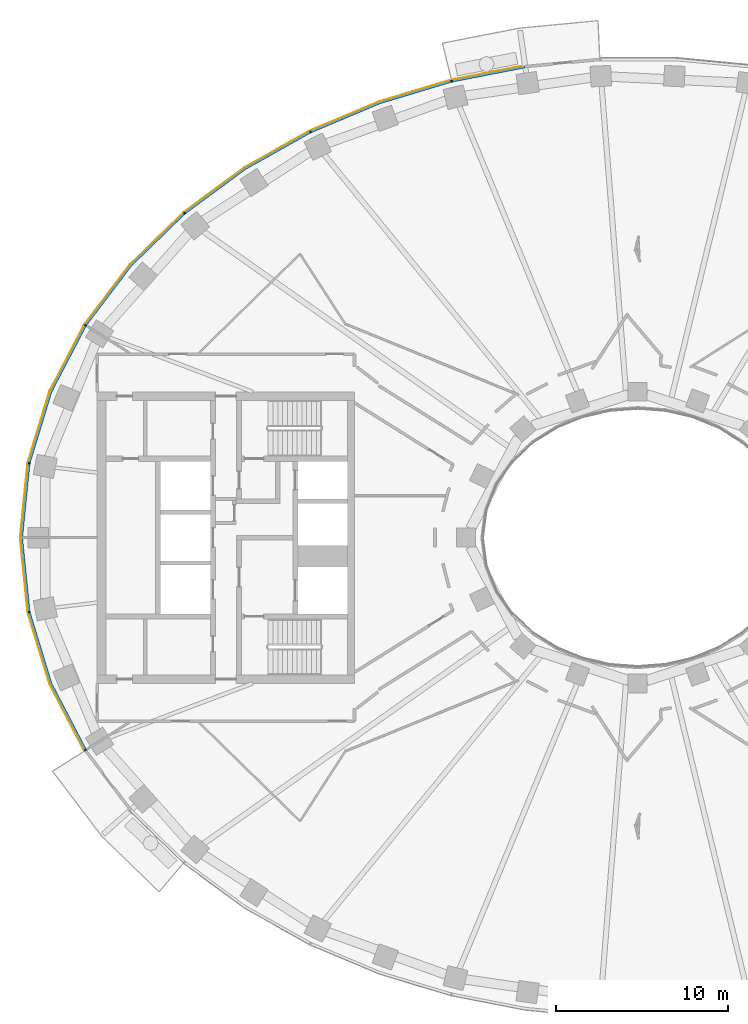
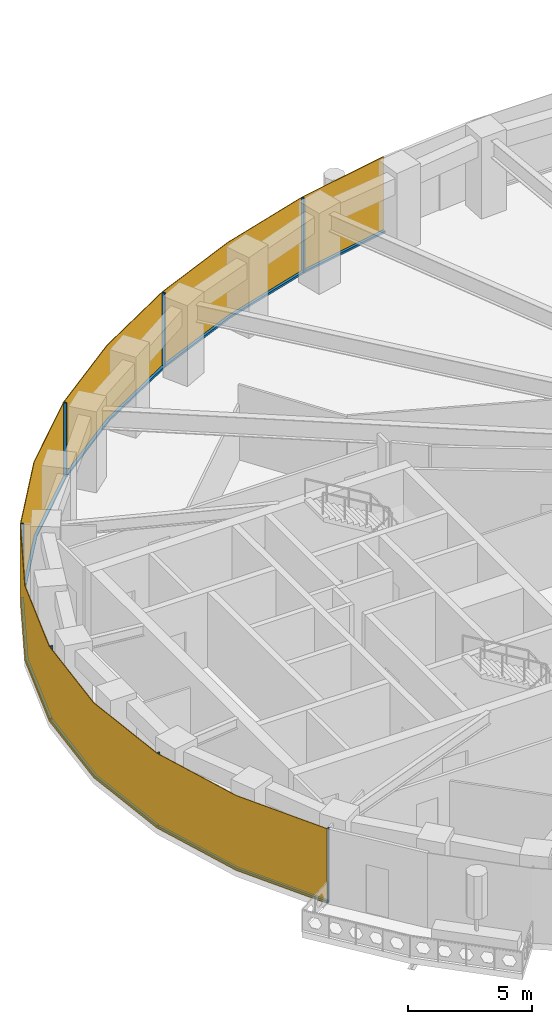
# One storey, part 11 of 16: 14 members, 1 curtain wall.
"""IFC4 building model written with IfcOpenShell, lengths in metres."""

from ifc_helpers import new_model, si_unit, direction, frame, origin, origin_2d, place, context, subcontext, project, spatial, polyline, rectangle, outline, extrude, material, layer, layer_set, material_profile, profile_set, type_object, element, aggregate, save


model = new_model("IFC4")

# Units and contexts
model_context = context("Model", 3, precision=1e-05, world=origin(), true_north=direction((0.0, 1.0)))
body_context = subcontext(model_context, "Body", "Model", "MODEL_VIEW")
ifc_project = project(units=[si_unit("LENGTHUNIT", "METRE"), si_unit("AREAUNIT", "SQUARE_METRE"), si_unit("VOLUMEUNIT", "CUBIC_METRE"), si_unit("PLANEANGLEUNIT", "RADIAN"), si_unit("MASSUNIT", "GRAM", prefix="KILO")], contexts=[model_context])

# Member
ifc_material_1 = material(Name="Aluminium 6063-T6 black anodised", Category="aluminium")
ifc_material_profile = material_profile(ifc_material_1, rectangle(XDim=0.1201171875, YDim=0.06005859375, at=origin_2d()), Name="120x60")
ifc_profile_set = profile_set([ifc_material_profile], Name="Aluminium 6063-T6 black anodised")
member_type_1 = type_object("IfcMemberType", Name="ENV-MULLION-A-120", PredefinedType="MULLION", material=ifc_profile_set)
site_placement = place(None, origin())
building_placement = place(site_placement, origin())
storey_placement = place(building_placement, frame((0.0, 0.0, 162.0)))
member_1_placement = place(storey_placement, frame((-10.84326171875, 26.60498046875, 0.0), z_axis=(0.0, 0.0, 1.0), x_axis=(0.239799081534, -0.970822538106, 0.0)))
member_1 = element("IfcMember", 1, at=member_1_placement, type_object=member_type_1, Name="Mullion A radial 15", PredefinedType="MULLION", context=body_context, shape_type="SweptSolid", body=[
    extrude(rectangle(XDim=0.1201171875, YDim=0.06005859375, at=origin_2d()), origin(), (0.0, 0.0, 1.0), 3.699951171875),
])

member_2_placement = place(storey_placement, frame((-19.06787109375, 23.6474609375, 0.0), z_axis=(0.0, 0.0, 1.0), x_axis=(0.439237769837, -0.898370848563, 0.0)))
member_2 = element("IfcMember", 2, at=member_2_placement, type_object=member_type_1, Name="Mullion A radial 17", PredefinedType="MULLION", context=body_context, shape_type="SweptSolid", body=[
    extrude(rectangle(XDim=0.1201171875, YDim=0.06005859375, at=origin_2d()), origin(), (0.0, 0.0, 1.0), 3.699951171875),
])

member_3_placement = place(storey_placement, frame((-26.403564453125, 18.9130859375, 0.0), z_axis=(0.0, 0.0, 1.0), x_axis=(0.646451313783, -0.762955240435, 0.0)))
member_3 = element("IfcMember", 3, at=member_3_placement, type_object=member_type_1, Name="Mullion A radial 19", PredefinedType="MULLION", context=body_context, shape_type="SweptSolid", body=[
    extrude(rectangle(XDim=0.1201171875, YDim=0.06005859375, at=origin_2d()), origin(), (0.0, 0.0, 1.0), 3.699951171875),
])

member_4_placement = place(storey_placement, frame((-32.177490234375, 12.385498046875, 0.0), z_axis=(0.0, 0.0, 1.0), x_axis=(0.844829880882, -0.53503501976, 0.0)))
member_4 = element("IfcMember", 4, at=member_4_placement, type_object=member_type_1, Name="Mullion A radial 21", PredefinedType="MULLION", context=body_context, shape_type="SweptSolid", body=[
    extrude(rectangle(XDim=0.1201171875, YDim=0.06005859375, at=origin_2d()), origin(), (0.0, 0.0, 1.0), 3.699951171875),
])

member_5_placement = place(storey_placement, frame((-35.470947265625, 4.340576171875, 0.0), z_axis=(0.0, 0.0, 1.0), x_axis=(0.980379083141, -0.19712141776, 0.0)))
member_5 = element("IfcMember", 5, at=member_5_placement, type_object=member_type_1, Name="Mullion A radial 23", PredefinedType="MULLION", context=body_context, shape_type="SweptSolid", body=[
    extrude(rectangle(XDim=0.1201171875, YDim=0.06005859375, at=origin_2d()), origin(), (0.0, 0.0, 1.0), 3.699951171875),
])

member_6_placement = place(storey_placement, frame((-35.470947265625, -4.340576171875, 0.0), z_axis=(0.0, 0.0, 1.0), x_axis=(0.980379083141, 0.19712141776, 0.0)))
member_6 = element("IfcMember", 6, at=member_6_placement, type_object=member_type_1, Name="Mullion A radial 25", PredefinedType="MULLION", context=body_context, shape_type="SweptSolid", body=[
    extrude(rectangle(XDim=0.1201171875, YDim=0.06005859375, at=origin_2d()), origin(), (0.0, 0.0, 1.0), 3.699951171875),
])

member_7_placement = place(storey_placement, frame((-32.177490234375, -12.385498046875, 0.0), z_axis=(0.0, 0.0, 1.0), x_axis=(0.844829880882, 0.53503501976, 0.0)))
member_7 = element("IfcMember", 7, at=member_7_placement, type_object=member_type_1, Name="Mullion A radial 27", PredefinedType="MULLION", context=body_context, shape_type="SweptSolid", body=[
    extrude(rectangle(XDim=0.1201171875, YDim=0.06005859375, at=origin_2d()), origin(), (0.0, 0.0, 1.0), 3.699951171875),
])

ifc_material_2 = material(Name="Aluminium 6063-T6 black anodised", Category="aluminium")
member_type_2 = type_object("IfcMemberType", Name="ENV-TRANSOM-A", PredefinedType="USERDEFINED", material=ifc_material_2)
member_8_placement = place(storey_placement, origin())
member_8 = element("IfcMember", 8, at=member_8_placement, type_object=member_type_2, Name="Transom A radial 14-15", ObjectType="TRANSOM", PredefinedType="USERDEFINED", context=body_context, shape_type="SweptSolid", body=[
    extrude(outline(polyline([(-6.57470703125, 27.49560546875), (-10.830078125, 26.66845703125), (-10.80126953125, 26.552001953125), (-6.5576171875, 27.376708984375), (-6.57470703125, 27.49560546875)])), origin(), (0.0, 0.0, 1.0), 0.10009765625),
])

member_9_placement = place(storey_placement, origin())
member_9 = element("IfcMember", 9, at=member_9_placement, type_object=member_type_2, Name="Transom A radial 15-17", ObjectType="TRANSOM", PredefinedType="USERDEFINED", context=body_context, shape_type="SweptSolid", body=[
    extrude(outline(polyline([(-10.884521484375, 26.655029296875), (-15.054443359375, 25.400146484375), (-19.068359375, 23.71240234375), (-19.015380859375, 23.604248046875), (-15.013916015625, 25.287109375), (-10.855712890625, 26.53857421875), (-10.884521484375, 26.655029296875)])), origin(), (0.0, 0.0, 1.0), 0.10009765625),
])

member_10_placement = place(storey_placement, origin())
member_10 = element("IfcMember", 10, at=member_10_placement, type_object=member_type_2, Name="Transom A radial 17-19", ObjectType="TRANSOM", PredefinedType="USERDEFINED", context=body_context, shape_type="SweptSolid", body=[
    extrude(outline(polyline([(-19.11865234375, 23.687744140625), (-22.9150390625, 21.556884765625), (-26.419921875, 18.975341796875), (-26.342041015625, 18.883544921875), (-22.85009765625, 21.455810546875), (-19.06591796875, 23.57958984375), (-19.11865234375, 23.687744140625)])), origin(), (0.0, 0.0, 1.0), 0.10009765625),
])

member_11_placement = place(storey_placement, origin())
member_11 = element("IfcMember", 11, at=member_11_placement, type_object=member_type_2, Name="Transom A radial 19-21", ObjectType="TRANSOM", PredefinedType="USERDEFINED", context=body_context, shape_type="SweptSolid", body=[
    extrude(outline(polyline([(-26.46240234375, 18.939208984375), (-29.58349609375, 15.906982421875), (-32.211181640625, 12.43994140625), (-32.109375, 12.37548828125), (-29.493408203125, 15.8271484375), (-26.384765625, 18.847412109375), (-26.46240234375, 18.939208984375)])), origin(), (0.0, 0.0, 1.0), 0.10009765625),
])

member_12_placement = place(storey_placement, origin())
member_12 = element("IfcMember", 12, at=member_12_placement, type_object=member_type_2, Name="Transom A radial 21-23", ObjectType="TRANSOM", PredefinedType="USERDEFINED", context=body_context, shape_type="SweptSolid", body=[
    extrude(outline(polyline([(-32.240966796875, 12.392578125), (-34.251220703125, 8.53662109375), (-35.521484375, 4.379150390625), (-35.4033203125, 4.355224609375), (-34.139892578125, 8.490966796875), (-32.139404296875, 12.328369140625), (-32.240966796875, 12.392578125)])), origin(), (0.0, 0.0, 1.0), 0.10009765625),
])

member_13_placement = place(storey_placement, origin())
member_13 = element("IfcMember", 13, at=member_13_placement, type_object=member_type_2, Name="Transom A radial 23-25", ObjectType="TRANSOM", PredefinedType="USERDEFINED", context=body_context, shape_type="SweptSolid", body=[
    extrude(outline(polyline([(-35.532470703125, 4.324462890625), (-35.9677734375, 0.0), (-35.532470703125, -4.324462890625), (-35.414306640625, -4.30078125), (-35.84716796875, 0.0), (-35.414306640625, 4.30078125), (-35.532470703125, 4.324462890625)])), origin(), (0.0, 0.0, 1.0), 0.10009765625),
])

member_14_placement = place(storey_placement, origin())
member_14 = element("IfcMember", 14, at=member_14_placement, type_object=member_type_2, Name="Transom A radial 25-27", ObjectType="TRANSOM", PredefinedType="USERDEFINED", context=body_context, shape_type="SweptSolid", body=[
    extrude(outline(polyline([(-35.521484375, -4.379150390625), (-34.251220703125, -8.53662109375), (-32.240966796875, -12.392578125), (-32.139404296875, -12.328369140625), (-34.139892578125, -8.490966796875), (-35.4033203125, -4.355224609375), (-35.521484375, -4.379150390625)])), origin(), (0.0, 0.0, 1.0), 0.10009765625),
])

# Site, building, storey
site = spatial("IfcSite", under=ifc_project, at=site_placement, CompositionType="ELEMENT")
building = spatial("IfcBuilding", under=site, at=building_placement, Name="Noorbagh Ring Tower", CompositionType="ELEMENT")
storey = spatial("IfcBuildingStorey", under=building, at=storey_placement, Name="L37", CompositionType="ELEMENT", Elevation=162.0)

# Curtain wall
ifc_material_3 = material(Name="Glass dark tinted laminated", Category="glass")
ifc_layer = layer(ifc_material_3, 0.031982421875)
ifc_layer_set = layer_set([ifc_layer], Name="Glass dark tinted laminated")
curtain_wall_type = type_object("IfcCurtainWallType", Name="ENV-CW-A", PredefinedType="NOTDEFINED", material=ifc_layer_set)
curtain_wall_placement = place(storey_placement, origin())
curtain_wall = element("IfcCurtainWall", 15, at=curtain_wall_placement, inside=storey, type_object=curtain_wall_type, Name="Curtain wall A R14", PredefinedType="NOTDEFINED", context=body_context, shape_type="SweptSolid", body=[
    extrude(outline(polyline([(-6.579345703125, 27.52734375), (-10.865234375, 26.6943359375), (-15.065185546875, 25.430419921875), (-19.108154296875, 23.730224609375), (-22.9326171875, 21.583740234375), (-26.463134765625, 18.9833984375), (-29.607666015625, 15.927978515625), (-32.255126953125, 12.434814453125), (-34.281005859375, 8.548828125), (-35.561279296875, 4.358642578125), (-36.0, 0.0), (-35.561279296875, -4.358642578125), (-34.281005859375, -8.548828125), (-32.264404296875, -12.4169921875), (-32.2373046875, -12.39990234375), (-34.251220703125, -8.53662109375), (-35.529541015625, -4.352294921875), (-35.9677734375, 0.0), (-35.529541015625, 4.352294921875), (-34.251220703125, 8.53662109375), (-32.22802734375, 12.41748046875), (-29.58349609375, 15.906982421875), (-26.4423828125, 18.958740234375), (-22.9150390625, 21.556884765625), (-19.093994140625, 23.701416015625), (-15.054443359375, 25.400146484375), (-10.857666015625, 26.6630859375), (-6.57470703125, 27.49560546875), (-6.579345703125, 27.52734375)])), origin(), (0.0, 0.0, 1.0), 3.699951171875),
])

aggregate(curtain_wall, [member_1, member_2, member_3, member_4, member_5, member_6, member_7, member_8, member_9, member_10, member_11, member_12, member_13, member_14])

save(model, "model.ifc")
